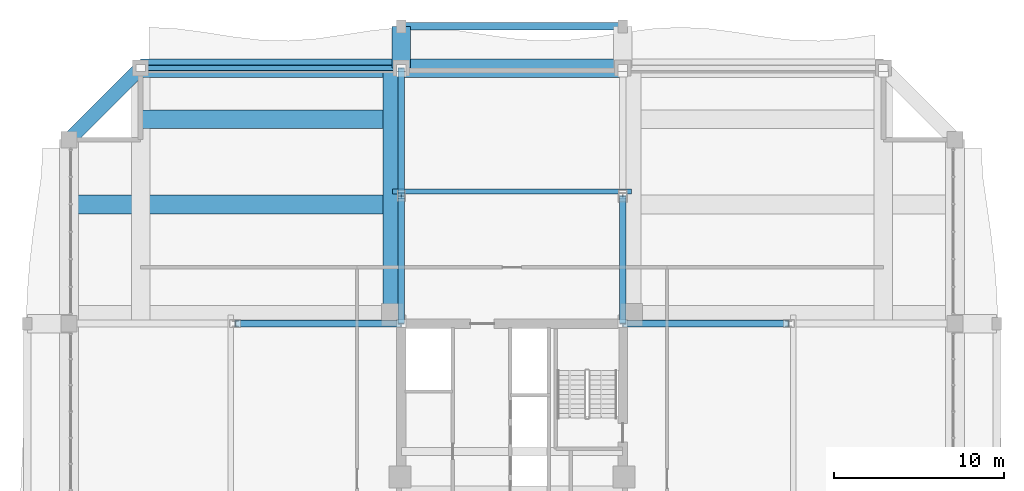
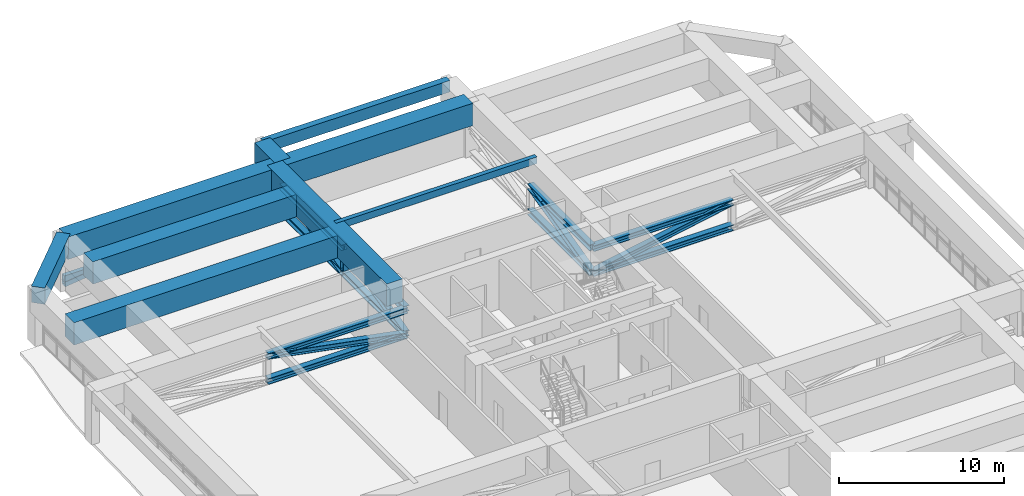
# One storey, part 22 of 35: 18 members, 9 beams.
"""IFC4 building model written with IfcOpenShell, lengths in metres."""

from ifc_helpers import new_model, si_unit, direction, frame, origin, origin_2d, place, context, subcontext, project, spatial, rectangle, hollow_rectangle, i_section, extrude, source, transform, mapped, material, material_profile, profile_set, type_object, element, save


model = new_model("IFC4")

# Units and contexts
model_context = context("Model", 3, precision=1e-05, world=origin(), true_north=direction((0.0, 1.0)))
body_context = subcontext(model_context, "Body", "Model", "MODEL_VIEW")
ifc_project = project(units=[si_unit("LENGTHUNIT", "METRE"), si_unit("AREAUNIT", "SQUARE_METRE"), si_unit("VOLUMEUNIT", "CUBIC_METRE"), si_unit("PLANEANGLEUNIT", "RADIAN"), si_unit("MASSUNIT", "GRAM", prefix="KILO")], contexts=[model_context])

# Site, building, storey
site_placement = place(None, origin())
site = spatial("IfcSite", under=ifc_project, at=site_placement, CompositionType="ELEMENT")
building_placement = place(site_placement, origin())
building = spatial("IfcBuilding", under=site, at=building_placement, Name="Saelheon Loggia Tower", CompositionType="ELEMENT")
storey_placement = place(building_placement, frame((0.0, 0.0, 144.75)))
storey = spatial("IfcBuildingStorey", under=building, at=storey_placement, Name="L46", CompositionType="ELEMENT", Elevation=144.75)

# Beams
ifc_material_1 = material(Name="Precast Concrete C45/55", Category="concrete")
ifc_material_profile_1 = material_profile(ifc_material_1, rectangle(XDim=0.449951171875, YDim=0.85009765625, at=origin_2d()), Name="RC-450x850")
ifc_profile_set_1 = profile_set([ifc_material_profile_1], Name="Precast Concrete C45/55")
beam_type_1 = type_object("IfcBeamType", Name="Beam_LoggiaSpandrel_RC450x850", PredefinedType="SPANDREL", material=ifc_profile_set_1)
shared_shape_1 = source(origin(), body_context, "Body", "SweptSolid", [
    extrude(rectangle(XDim=0.449951171875, YDim=0.85009765625, at=origin_2d()), origin(), (0.0, 0.0, 1.0), 13.0),
])
beam_1_placement = place(storey_placement, frame((31.5, 53.449951171875, 3.52490234375), z_axis=(1.0, 0.0, 0.0), x_axis=(0.0, 1.0, 0.0)))
element("IfcBeam", 1, at=beam_1_placement, inside=storey, type_object=beam_type_1, Name="L46 Loggia Spandrel Beam N", PredefinedType="SPANDREL", context=body_context, shape_type="MappedRepresentation", body=[
    mapped(shared_shape_1, transform((0.0, 0.0, 0.0), scale=1.0)),
])
ifc_material_2 = material(Name="Concrete C50/60", Category="concrete")
ifc_material_profile_2 = material_profile(ifc_material_2, rectangle(XDim=1.10009765625, YDim=1.449951171875, at=origin_2d()), Name="RC-1100x1450")
ifc_profile_set_2 = profile_set([ifc_material_profile_2], Name="Concrete C50/60")
beam_type_2 = type_object("IfcBeamType", Name="Beam_PerimTransfer_RC1100x1450", PredefinedType="BEAM", material=ifc_profile_set_2)
shared_shape_2 = source(origin(), body_context, "Body", "SweptSolid", [
    extrude(rectangle(XDim=1.10009765625, YDim=1.449951171875, at=origin_2d()), origin(), (0.0, 0.0, 1.0), 2.449951171875),
])
beam_2_placement = place(storey_placement, frame((31.5, 51.0, 3.22509765625), z_axis=(0.0, 1.0, 0.0), x_axis=(-1.0, 0.0, 0.0)))
element("IfcBeam", 2, at=beam_2_placement, inside=storey, type_object=beam_type_2, Name="L46 Loggia Frame Tie Beam LP-N1", PredefinedType="BEAM", context=body_context, shape_type="MappedRepresentation", body=[
    mapped(shared_shape_2, transform((0.0, 0.0, 0.0), scale=1.0)),
])
ifc_material_profile_3 = material_profile(ifc_material_2, rectangle(XDim=1.10009765625, YDim=1.64990234375, at=origin_2d()), Name="RC-1100x1650")
ifc_profile_set_3 = profile_set([ifc_material_profile_3], Name="Concrete C50/60")
beam_type_3 = type_object("IfcBeamType", Name="Beam_PerimMega_RC1100x1650", PredefinedType="BEAM", material=ifc_profile_set_3)
shared_shape_3 = source(origin(), body_context, "Body", "SweptSolid", [
    extrude(rectangle(XDim=1.10009765625, YDim=1.64990234375, at=origin_2d()), origin(), (0.0, 0.0, 1.0), 13.0),
])
beam_3_placement = place(storey_placement, frame((44.5, 51.0, 3.125), z_axis=(-1.0, 0.0, 0.0), x_axis=(0.0, -1.0, 0.0)))
element("IfcBeam", 3, at=beam_3_placement, inside=storey, type_object=beam_type_3, Name="L46 Perimeter Frame Girder 10", PredefinedType="BEAM", context=body_context, shape_type="MappedRepresentation", body=[
    mapped(shared_shape_3, transform((0.0, 0.0, 0.0), scale=1.0)),
])
ifc_material_profile_4 = material_profile(ifc_material_2, rectangle(XDim=1.10009765625, YDim=1.64990234375, at=origin_2d()), Name="RC-1100x1650")
ifc_profile_set_4 = profile_set([ifc_material_profile_4], Name="Concrete C50/60")
beam_type_4 = type_object("IfcBeamType", Name="Beam_MegaTransfer_RC1100x1650", PredefinedType="BEAM", material=ifc_profile_set_4)
shared_shape_4 = source(origin(), body_context, "Body", "SweptSolid", [
    extrude(rectangle(XDim=1.10009765625, YDim=1.64990234375, at=origin_2d()), origin(), (0.0, 0.0, 1.0), 14.47998046875),
])
beam_4_placement = place(storey_placement, frame((30.97998046875, 36.52001953125, 3.125), z_axis=(0.0, 1.0, 0.0), x_axis=(-1.0, 0.0, 0.0)))
element("IfcBeam", 4, at=beam_4_placement, inside=storey, type_object=beam_type_4, Name="L46 Radial Floor Girder RAD-NW-N", PredefinedType="BEAM", context=body_context, shape_type="MappedRepresentation", body=[
    mapped(shared_shape_4, transform((0.0, 0.0, 0.0), scale=1.0)),
])
shared_shape_5 = source(origin(), body_context, "Body", "SweptSolid", [
    extrude(rectangle(XDim=1.10009765625, YDim=1.64990234375, at=origin_2d()), origin(), (0.0, 0.0, 1.0), 19.5),
])
beam_5_placement = place(storey_placement, frame((12.0, 43.0, 3.125), z_axis=(1.0, 0.0, 0.0), x_axis=(0.0, 1.0, 0.0)))
element("IfcBeam", 5, at=beam_5_placement, inside=storey, type_object=beam_type_4, Name="TG-L46-SH-NW", PredefinedType="BEAM", context=body_context, shape_type="MappedRepresentation", body=[
    mapped(shared_shape_5, transform((0.0, 0.0, 0.0), scale=1.0)),
])

# Members
ifc_material_3 = material(Name="Steel SM355", Category="steel")
ifc_material_profile_5 = material_profile(ifc_material_3, i_section(OverallWidth=0.406982421875, OverallDepth=0.427978515625, WebThickness=0.02001953125, FlangeThickness=0.034912109375, at=origin_2d()), Name="H-428x407x20x35")
ifc_profile_set_5 = profile_set([ifc_material_profile_5], Name="Steel SM355")
member_type_1 = type_object("IfcMemberType", Name="Outrigger_Chord_H428", PredefinedType="CHORD", material=ifc_profile_set_5)
shared_shape_6 = source(origin(), body_context, "Body", "SweptSolid", [
    extrude(i_section(OverallWidth=0.406982421875, OverallDepth=0.427978515625, WebThickness=0.02001953125, FlangeThickness=0.034912109375, at=origin_2d()), origin(), (0.0, 0.0, 1.0), 7.5),
])
for number, where, z_axis, x_axis, name in (
    (6, (31.5, 36.0, 0.219970703125), (0.0, 1.0, 0.0), (-1.0, 0.0, 0.0), "L46 Outrigger Bottom Chord NW-N 1"),
    (7, (31.5, 43.5, 0.219970703125), (0.0, 1.0, 0.0), (-1.0, 0.0, 0.0), "L46 Outrigger Bottom Chord NW-N 2"),
    (8, (31.5, 36.0, 2.070068359375), (0.0, 1.0, 0.0), (-1.0, 0.0, 0.0), "L46 Outrigger Top Chord NW-N 1"),
    (9, (31.5, 43.5, 2.070068359375), (0.0, 1.0, 0.0), (-1.0, 0.0, 0.0), "L46 Outrigger Top Chord NW-N 2"),
    (10, (44.5, 36.0, 0.219970703125), (0.0, 1.0, 0.0), (-1.0, 0.0, 0.0), "L46 Outrigger Bottom Chord NE-N 1"),
    (11, (44.5, 36.0, 2.070068359375), (0.0, 1.0, 0.0), (-1.0, 0.0, 0.0), "L46 Outrigger Top Chord NE-N 1"),
):
    element("IfcMember", number, at=place(storey_placement, frame(where, z_axis=z_axis, x_axis=x_axis)), inside=storey, type_object=member_type_1, Name=name, PredefinedType="CHORD", context=body_context, shape_type="MappedRepresentation", body=[
        mapped(shared_shape_6, transform((0.0, 0.0, 0.0), scale=1.0)),
    ])
ifc_material_profile_6 = material_profile(ifc_material_3, i_section(OverallWidth=0.39990234375, OverallDepth=0.39990234375, WebThickness=0.012939453125, FlangeThickness=0.02099609375, at=origin_2d()), Name="H-400x400x13x21")
ifc_profile_set_6 = profile_set([ifc_material_profile_6], Name="Steel SM355")
member_type_2 = type_object("IfcMemberType", Name="Outrigger_Brace_H400", PredefinedType="BRACE", material=ifc_profile_set_6)
shared_shape_7 = source(origin(), body_context, "Body", "SweptSolid", [
    extrude(i_section(OverallWidth=0.39990234375, OverallDepth=0.39990234375, WebThickness=0.012939453125, FlangeThickness=0.02099609375, at=origin_2d()), origin(), (0.0, 0.0, 1.0), 7.724853515625),
])
for number, where, z_axis, x_axis, name in (
    (12, (31.5, 36.0, 0.219970703125), (0.0, 0.970896268456, 0.239500388098), (-1.0, 0.0, 0.0), "L46 Outrigger Diagonal NW-N 1"),
    (13, (31.5, 43.5, 0.219970703125), (0.0, 0.970896268456, 0.239500388098), (-1.0, 0.0, 0.0), "L46 Outrigger Diagonal NW-N 2"),
    (14, (44.5, 36.0, 0.219970703125), (0.0, 0.970896268456, 0.239500388098), (-1.0, 0.0, 0.0), "L46 Outrigger Diagonal NE-N 1"),
):
    element("IfcMember", number, at=place(storey_placement, frame(where, z_axis=z_axis, x_axis=x_axis)), inside=storey, type_object=member_type_2, Name=name, PredefinedType="BRACE", context=body_context, shape_type="MappedRepresentation", body=[
        mapped(shared_shape_7, transform((0.0, 0.0, 0.0), scale=1.0)),
    ])
shared_shape_8 = source(origin(), body_context, "Body", "SweptSolid", [
    extrude(i_section(OverallWidth=0.406982421875, OverallDepth=0.427978515625, WebThickness=0.02001953125, FlangeThickness=0.034912109375, at=origin_2d()), origin(), (0.0, 0.0, 1.0), 9.75),
])
for number, where, z_axis, x_axis, name in (
    (15, (31.5, 36.0, 0.219970703125), (-1.0, 0.0, 0.0), (0.0, -1.0, 0.0), "L46 Outrigger Bottom Chord NW-W 1"),
    (16, (31.5, 36.0, 2.070068359375), (-1.0, 0.0, 0.0), (0.0, -1.0, 0.0), "L46 Outrigger Top Chord NW-W 1"),
    (17, (44.5, 36.0, 0.219970703125), (1.0, 0.0, 0.0), (0.0, 1.0, 0.0), "L46 Outrigger Bottom Chord NE-E 1"),
    (18, (44.5, 36.0, 2.070068359375), (1.0, 0.0, 0.0), (0.0, 1.0, 0.0), "L46 Outrigger Top Chord NE-E 1"),
):
    element("IfcMember", number, at=place(storey_placement, frame(where, z_axis=z_axis, x_axis=x_axis)), inside=storey, type_object=member_type_1, Name=name, PredefinedType="CHORD", context=body_context, shape_type="MappedRepresentation", body=[
        mapped(shared_shape_8, transform((0.0, 0.0, 0.0), scale=1.0)),
    ])

# Beams
ifc_material_4 = material(Name="Concrete C40/50", Category="concrete")
ifc_material_profile_7 = material_profile(ifc_material_4, rectangle(XDim=0.300048828125, YDim=0.5, at=origin_2d()), Name="RC-300x500")
ifc_profile_set_7 = profile_set([ifc_material_profile_7], Name="Concrete C40/50")
beam_type_5 = type_object("IfcBeamType", Name="Beam_Joist_RC300x500", PredefinedType="JOIST", material=ifc_profile_set_7)
shared_shape_9 = source(origin(), body_context, "Body", "SweptSolid", [
    extrude(rectangle(XDim=0.300048828125, YDim=0.5, at=origin_2d()), origin(), (0.0, 0.0, 1.0), 14.0400390625),
])
beam_6_placement = place(storey_placement, frame((30.97998046875, 43.760009765625, 3.699951171875), z_axis=(1.0, 0.0, 0.0), x_axis=(0.0, 1.0, 0.0)))
element("IfcBeam", 19, at=beam_6_placement, inside=storey, type_object=beam_type_5, Name="L46 North Floor Joist", PredefinedType="JOIST", context=body_context, shape_type="MappedRepresentation", body=[
    mapped(shared_shape_9, transform((0.0, 0.0, 0.0), scale=1.0)),
])
shared_shape_10 = source(origin(), body_context, "Body", "SweptSolid", [
    extrude(rectangle(XDim=1.10009765625, YDim=1.64990234375, at=origin_2d()), origin(), (0.0, 0.0, 1.0), 15.300048828125),
])
beam_7_placement = place(storey_placement, frame((31.5, 51.0, 3.125), z_axis=(-1.0, 0.0, 0.0), x_axis=(0.0, -1.0, 0.0)))
element("IfcBeam", 20, at=beam_7_placement, inside=storey, type_object=beam_type_3, Name="L46 Perimeter Frame Girder 11", PredefinedType="BEAM", context=body_context, shape_type="MappedRepresentation", body=[
    mapped(shared_shape_10, transform((0.0, 0.0, 0.0), scale=1.0)),
])
beam_8_placement = place(storey_placement, frame((16.199951171875, 48.0, 3.125), z_axis=(1.0, 0.0, 0.0), x_axis=(0.0, 1.0, 0.0)))
element("IfcBeam", 21, at=beam_8_placement, inside=storey, type_object=beam_type_4, Name="TG-L46-NYN-W", PredefinedType="BEAM", context=body_context, shape_type="MappedRepresentation", body=[
    mapped(shared_shape_10, transform((0.0, 0.0, 0.0), scale=1.0)),
])
ifc_material_profile_8 = material_profile(ifc_material_2, rectangle(XDim=0.85009765625, YDim=1.199951171875, at=origin_2d()), Name="RC-850x1200")
ifc_profile_set_8 = profile_set([ifc_material_profile_8], Name="Concrete C50/60")
beam_type_6 = type_object("IfcBeamType", Name="Beam_CornerShoulder_RC850x1200", PredefinedType="BEAM", material=ifc_profile_set_8)
shared_shape_11 = source(origin(), body_context, "Body", "SweptSolid", [
    extrude(rectangle(XDim=0.85009765625, YDim=1.199951171875, at=origin_2d()), origin(), (0.0, 0.0, 1.0), 5.939697265625),
])
beam_9_placement = place(storey_placement, frame((16.199951171875, 51.0, 3.35009765625), z_axis=(-0.707106781187, -0.707106781187, 0.0), x_axis=(0.707106781187, -0.707106781187, 0.0)))
element("IfcBeam", 22, at=beam_9_placement, inside=storey, type_object=beam_type_6, Name="L46 Corner Shoulder Beam 12", PredefinedType="BEAM", context=body_context, shape_type="MappedRepresentation", body=[
    mapped(shared_shape_11, transform((0.0, 0.0, 0.0), scale=1.0)),
])

# Members
ifc_material_profile_9 = material_profile(ifc_material_3, i_section(OverallWidth=0.35009765625, OverallDepth=0.35009765625, WebThickness=0.011962890625, FlangeThickness=0.01904296875, at=origin_2d()), Name="H-350x350x12x19")
ifc_profile_set_9 = profile_set([ifc_material_profile_9], Name="Steel SM355")
member_type_3 = type_object("IfcMemberType", Name="Outrigger_Post_H350", PredefinedType="POST", material=ifc_profile_set_9)
shared_shape_12 = source(origin(), body_context, "Body", "SweptSolid", [
    extrude(i_section(OverallWidth=0.35009765625, OverallDepth=0.35009765625, WebThickness=0.011962890625, FlangeThickness=0.01904296875, at=origin_2d()), origin(), (0.0, 0.0, 1.0), 1.85009765625),
])
member_1_placement = place(storey_placement, frame((31.5, 43.5, 0.219970703125), z_axis=(0.0, 0.0, 1.0), x_axis=(1.0, 0.0, 0.0)))
element("IfcMember", 23, at=member_1_placement, inside=storey, type_object=member_type_3, Name="L46 Outrigger Web Post NW-N", PredefinedType="POST", context=body_context, shape_type="MappedRepresentation", body=[
    mapped(shared_shape_12, transform((0.0, 0.0, 0.0), scale=1.0)),
])
shared_shape_13 = source(origin(), body_context, "Body", "SweptSolid", [
    extrude(i_section(OverallWidth=0.39990234375, OverallDepth=0.39990234375, WebThickness=0.012939453125, FlangeThickness=0.02099609375, at=origin_2d()), origin(), (0.0, 0.0, 1.0), 9.924072265625),
])
for number, where, z_axis, x_axis, name in (
    (24, (31.5, 36.0, 0.219970703125), (-0.982468815564, 0.0, 0.186427000309), (0.0, -1.0, 0.0), "L46 Outrigger Diagonal NW-W 1"),
    (25, (44.5, 36.0, 0.219970703125), (0.982468815564, 0.0, 0.186427000309), (0.0, 1.0, 0.0), "L46 Outrigger Diagonal NE-E 1"),
):
    element("IfcMember", number, at=place(storey_placement, frame(where, z_axis=z_axis, x_axis=x_axis)), inside=storey, type_object=member_type_2, Name=name, PredefinedType="BRACE", context=body_context, shape_type="MappedRepresentation", body=[
        mapped(shared_shape_13, transform((0.0, 0.0, 0.0), scale=1.0)),
    ])
ifc_material_profile_10 = material_profile(ifc_material_3, hollow_rectangle(XDim=0.300048828125, YDim=0.449951171875, WallThickness=0.02001953125, at=origin_2d()), Name="RHS-450x300x20")
ifc_profile_set_10 = profile_set([ifc_material_profile_10], Name="Steel SM355")
member_type_4 = type_object("IfcMemberType", Name="Belt_Chord_RHS450", PredefinedType="CHORD", material=ifc_profile_set_10)
shared_shape_14 = source(origin(), body_context, "Body", "SweptSolid", [
    extrude(hollow_rectangle(XDim=0.300048828125, YDim=0.449951171875, WallThickness=0.02001953125, at=origin_2d()), origin(), (0.0, 0.0, 1.0), 15.300048828125),
])
member_2_placement = place(storey_placement, frame((16.199951171875, 51.0, 0.6201171875), z_axis=(1.0, 0.0, 0.0), x_axis=(0.0, 1.0, 0.0)))
element("IfcMember", 26, at=member_2_placement, inside=storey, type_object=member_type_4, Name="L46 Belt Truss Chord BN1", PredefinedType="CHORD", context=body_context, shape_type="MappedRepresentation", body=[
    mapped(shared_shape_14, transform((0.0, 0.0, 0.0), scale=1.0)),
])
ifc_material_profile_11 = material_profile(ifc_material_3, hollow_rectangle(XDim=0.35009765625, YDim=0.35009765625, WallThickness=0.01611328125, at=origin_2d()), Name="RHS-350x350x16")
ifc_profile_set_11 = profile_set([ifc_material_profile_11], Name="Steel SM355")
member_type_5 = type_object("IfcMemberType", Name="Belt_Brace_RHS350", PredefinedType="BRACE", material=ifc_profile_set_11)
shared_shape_15 = source(origin(), body_context, "Body", "SweptSolid", [
    extrude(hollow_rectangle(XDim=0.35009765625, YDim=0.35009765625, WallThickness=0.01611328125, at=origin_2d()), origin(), (0.0, 0.0, 1.0), 15.41162109375),
])
member_3_placement = place(storey_placement, frame((16.199951171875, 51.0, 0.219970703125), z_axis=(0.992768262654, 0.0, 0.120046560411), x_axis=(0.0, 1.0, 0.0)))
element("IfcMember", 27, at=member_3_placement, inside=storey, type_object=member_type_5, Name="L46 Belt Truss Brace BN1", PredefinedType="BRACE", context=body_context, shape_type="MappedRepresentation", body=[
    mapped(shared_shape_15, transform((0.0, 0.0, 0.0), scale=1.0)),
])

save(model, "model.ifc")
